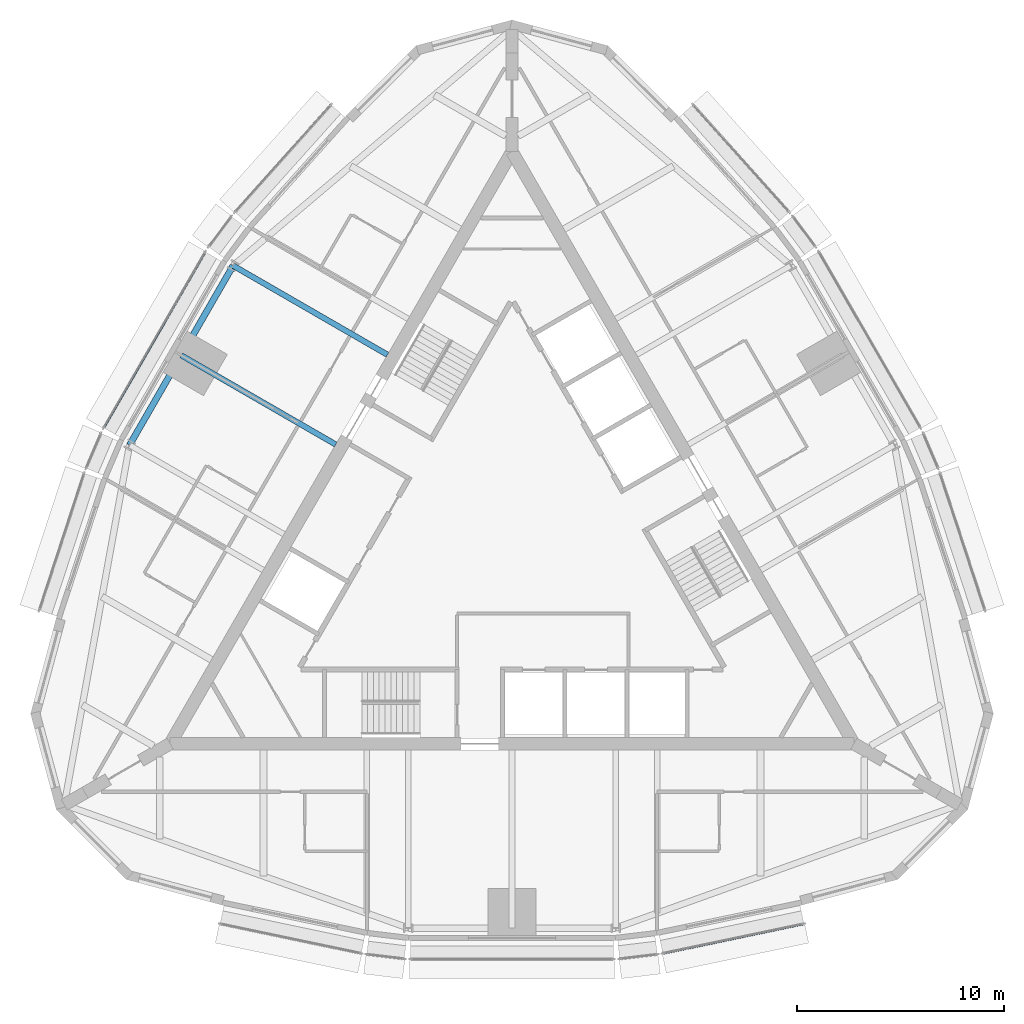
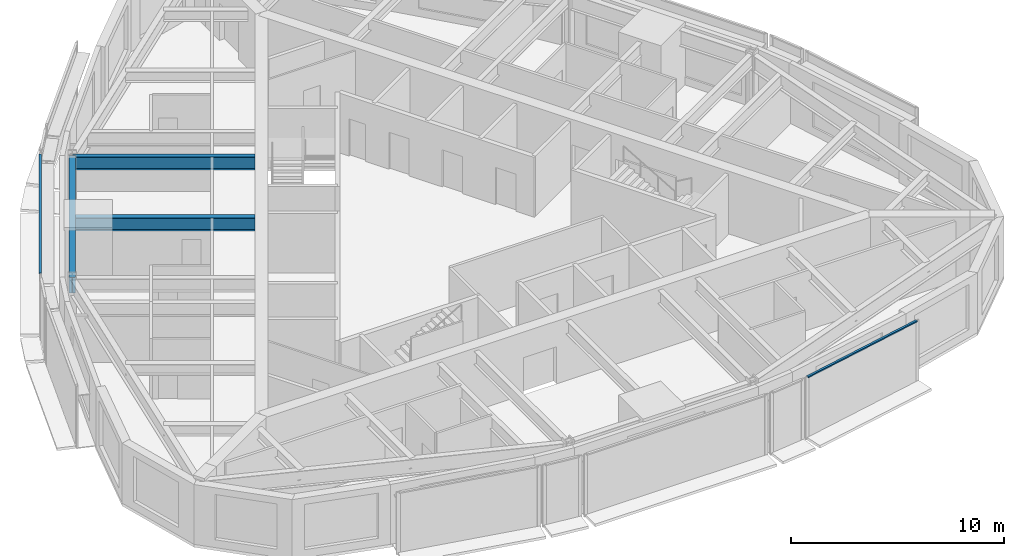
# One storey, part 3 of 12: 3 beams, 2 members, 2 elements without a shape of their own.
"""IFC4 building model written with IfcOpenShell, lengths in metres."""

from ifc_helpers import new_model, si_unit, direction, frame, origin, origin_2d, place, context, subcontext, project, spatial, rectangle, i_section, extrude, material, material_profile, profile_set, type_object, element, aggregate, save


model = new_model("IFC4")

# Units and contexts
model_context = context("Model", 3, precision=1e-05, world=origin(), true_north=direction((0.0, 1.0)))
body_context = subcontext(model_context, "Body", "Model", "MODEL_VIEW")
ifc_project = project(units=[si_unit("LENGTHUNIT", "METRE"), si_unit("AREAUNIT", "SQUARE_METRE"), si_unit("VOLUMEUNIT", "CUBIC_METRE"), si_unit("PLANEANGLEUNIT", "RADIAN"), si_unit("MASSUNIT", "GRAM", prefix="KILO")], contexts=[model_context])

# Site, building, storey
site_placement = place(None, origin())
site = spatial("IfcSite", under=ifc_project, at=site_placement, CompositionType="ELEMENT")
building_placement = place(site_placement, origin())
building = spatial("IfcBuilding", under=site, at=building_placement, Name="Trikona Tower", CompositionType="ELEMENT")
storey_placement = place(building_placement, frame((0.0, 0.0, 250.10009765625)))
storey = spatial("IfcBuildingStorey", under=building, at=storey_placement, Name="L66", CompositionType="ELEMENT", Elevation=250.10009765625)

# Beams
ifc_material_1 = material(Name="Steel ASTM A992 Grade 50", Category="steel")
ifc_material_profile_1 = material_profile(ifc_material_1, i_section(OverallWidth=0.2666015625, OverallDepth=0.7568359375, WebThickness=0.013916015625, FlangeThickness=0.019287109375, at=origin_2d()), Name="W30X108")
ifc_profile_set_1 = profile_set([ifc_material_profile_1], Name="Steel ASTM A992 Grade 50")
beam_type_1 = type_object("IfcBeamType", Name="Steel beam W30x108 (radial upper)", PredefinedType="BEAM", material=ifc_profile_set_1)
beam_1_placement = place(storey_placement, frame((-6.009765625, 9.243408203125, 3.056396484375), z_axis=(-0.866029182723, 0.49999345463, 0.0), x_axis=(-0.49999345463, -0.866029182723, 0.0)))
element("IfcBeam", 1, at=beam_1_placement, inside=storey, type_object=beam_type_1, Name="Floor beam L67 F3 u-5", PredefinedType="BEAM", context=body_context, shape_type="SweptSolid", body=[
    extrude(i_section(OverallWidth=0.2666015625, OverallDepth=0.7568359375, WebThickness=0.013916015625, FlangeThickness=0.019287109375, at=origin_2d()), origin(), (0.0, 0.0, 1.0), 8.60400390625),
])
beam_2_placement = place(storey_placement, frame((-8.509765625, 4.9130859375, 3.056396484375), z_axis=(-0.866016896067, 0.50001473551, 0.0), x_axis=(-0.50001473551, -0.866016896067, 0.0)))
element("IfcBeam", 2, at=beam_2_placement, inside=storey, type_object=beam_type_1, Name="Floor beam L67 F3 u0", PredefinedType="BEAM", context=body_context, shape_type="SweptSolid", body=[
    extrude(i_section(OverallWidth=0.2666015625, OverallDepth=0.7568359375, WebThickness=0.013916015625, FlangeThickness=0.019287109375, at=origin_2d()), origin(), (0.0, 0.0, 1.0), 8.604248046875),
])
ifc_material_2 = material(Name="Steel ASTM A992 Grade 50", Category="steel")
ifc_material_profile_2 = material_profile(ifc_material_2, i_section(OverallWidth=0.3046875, OverallDepth=0.911865234375, WebThickness=0.015869140625, FlangeThickness=0.02392578125, at=origin_2d()), Name="W36X150")
ifc_profile_set_2 = profile_set([ifc_material_profile_2], Name="Steel ASTM A992 Grade 50")
beam_type_2 = type_object("IfcBeamType", Name="Steel beam W36x150 (spandrel upper)", PredefinedType="SPANDREL", material=ifc_profile_set_2)
beam_3_placement = place(storey_placement, frame((-13.461181640625, 13.54541015625, 2.97900390625), z_axis=(-0.499993662806, -0.866029062534, 0.0), x_axis=(0.866029062534, -0.499993662806, 0.0)))
element("IfcBeam", 3, at=beam_3_placement, inside=storey, type_object=beam_type_2, Name="Spandrel beam L67 F3-2", PredefinedType="SPANDREL", context=body_context, shape_type="SweptSolid", body=[
    extrude(i_section(OverallWidth=0.3046875, OverallDepth=0.911865234375, WebThickness=0.015869140625, FlangeThickness=0.02392578125, at=origin_2d()), origin(), (0.0, 0.0, 1.0), 10.000244140625),
])

# Curtain wall, member
ifc_material_3 = material(Name="Aluminium curtain wall system", Category="aluminium")
curtain_wall_type = type_object("IfcCurtainWallType", Name="Curtain wall DS3", PredefinedType="NOTDEFINED", material=ifc_material_3)
curtain_wall_1_placement = place(storey_placement, origin())
curtain_wall_1 = element("IfcCurtainWall", 4, at=curtain_wall_1_placement, inside=storey, type_object=curtain_wall_type, Name="Curtain wall DS3 L66", PredefinedType="NOTDEFINED")
ifc_material_4 = material(Name="Aluminium transom, pale anodised", Category="aluminium")
ifc_material_profile_3 = material_profile(ifc_material_4, rectangle(XDim=0.1201171875, YDim=0.070068359375, at=origin_2d()), Name="TRN-DS3")
ifc_profile_set_3 = profile_set([ifc_material_profile_3], Name="Aluminium transom, pale anodised")
member_type = type_object("IfcMemberType", Name="Transom DS3 70x120", PredefinedType="USERDEFINED", material=ifc_profile_set_3)
member_1_placement = place(storey_placement, frame((7.312255859375, -19.64453125, 3.56494140625), z_axis=(0.978654137783, 0.205514181021, 0.0), x_axis=(-0.205514181021, 0.978654137783, 0.0)))
member_1 = element("IfcMember", 5, at=member_1_placement, type_object=member_type, Name="CW-DS3 transom 1.1", ObjectType="TRANSOM", PredefinedType="USERDEFINED", context=body_context, shape_type="SweptSolid", body=[
    extrude(rectangle(XDim=0.1201171875, YDim=0.070068359375, at=origin_2d()), origin(), (0.0, 0.0, 1.0), 6.892578125),
])
aggregate(curtain_wall_1, [member_1])

curtain_wall_2_placement = place(storey_placement, origin())
curtain_wall_2 = element("IfcCurtainWall", 6, at=curtain_wall_2_placement, inside=storey, type_object=curtain_wall_type, Name="Curtain wall DS3 L66", PredefinedType="NOTDEFINED")
member_2_placement = place(storey_placement, frame((-14.8251953125, 14.182861328125, 3.56494140625), z_axis=(-0.500010305712, -0.866019453697, 0.0), x_axis=(0.866019453697, -0.500010305712, 0.0)))
member_2 = element("IfcMember", 7, at=member_2_placement, type_object=member_type, Name="CW-DS3 transom 1.1", ObjectType="TRANSOM", PredefinedType="USERDEFINED", context=body_context, shape_type="SweptSolid", body=[
    extrude(rectangle(XDim=0.1201171875, YDim=0.070068359375, at=origin_2d()), origin(), (0.0, 0.0, 1.0), 9.739990234375),
])
aggregate(curtain_wall_2, [member_2])

save(model, "model.ifc")
